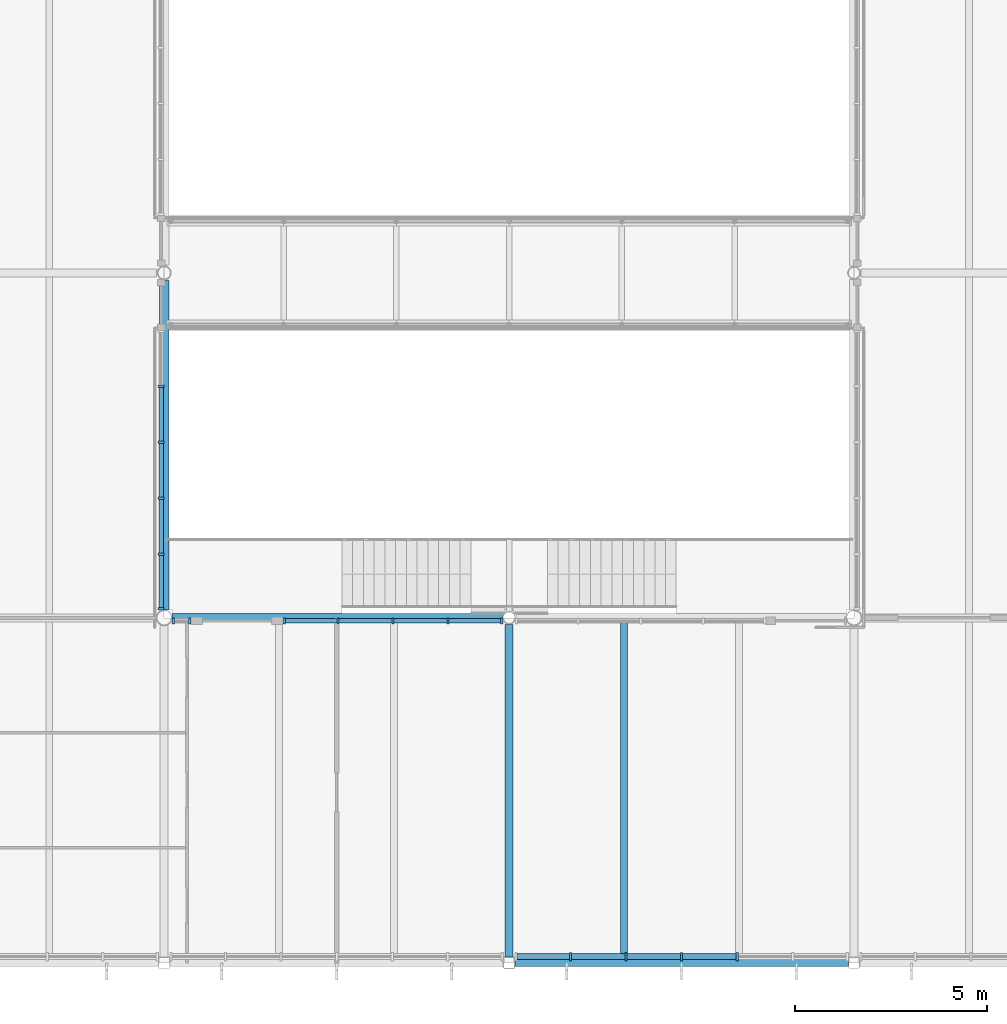
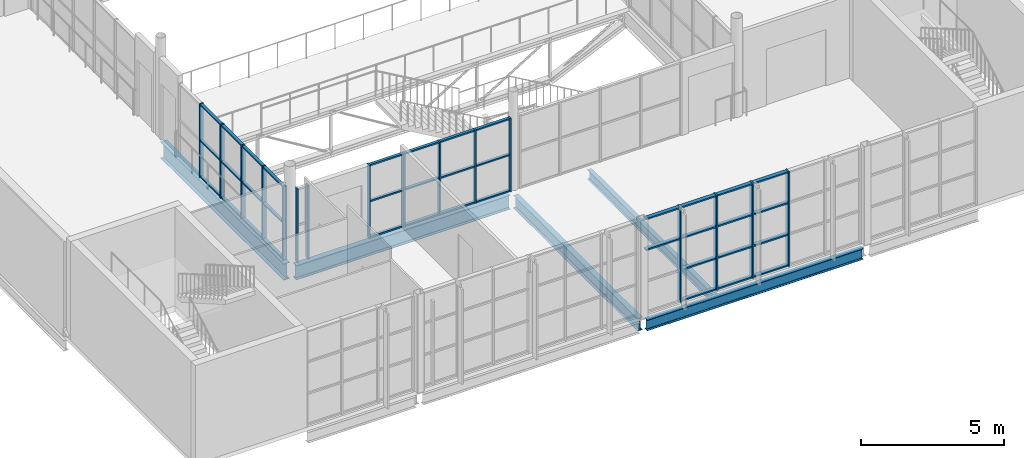
# One storey, part 18 of 61: 54 members, 5 beams, 4 elements without a shape of their own.
"""IFC4 building model written with IfcOpenShell, lengths in metres."""

from ifc_helpers import new_model, si_unit, direction, frame, origin, origin_2d, place, context, subcontext, project, spatial, rectangle, i_section, extrude, material, layer, layer_set, material_profile, profile_set, type_object, element, aggregate, save


model = new_model("IFC4")

# Units and contexts
model_context = context("Model", 3, precision=1e-05, world=origin(), true_north=direction((0.0, 1.0)))
body_context = subcontext(model_context, "Body", "Model", "MODEL_VIEW")
ifc_project = project(units=[si_unit("LENGTHUNIT", "METRE"), si_unit("AREAUNIT", "SQUARE_METRE"), si_unit("VOLUMEUNIT", "CUBIC_METRE"), si_unit("PLANEANGLEUNIT", "RADIAN"), si_unit("MASSUNIT", "GRAM", prefix="KILO")], contexts=[model_context])

# Site, building, storey
site_placement = place(None, origin())
site = spatial("IfcSite", under=ifc_project, at=site_placement, CompositionType="ELEMENT")
building_placement = place(site_placement, origin())
building = spatial("IfcBuilding", under=site, at=building_placement, Name="Halyard Row Museum", CompositionType="ELEMENT")
storey_placement = place(building_placement, frame((0.0, 0.0, 9.199951171875)))
storey = spatial("IfcBuildingStorey", under=building, at=storey_placement, Name="L02", CompositionType="ELEMENT", Elevation=9.199951171875)

# Beam
ifc_material_1 = material(Name="Steel Grade 300", Category="steel")
ifc_material_profile_1 = material_profile(ifc_material_1, i_section(OverallWidth=0.25, OverallDepth=0.699951171875, WebThickness=0.010009765625, FlangeThickness=0.02001953125, at=origin_2d()), Name="700WB130")
ifc_profile_set_1 = profile_set([ifc_material_profile_1], Name="Steel Grade 300")
beam_type_1 = type_object("IfcBeamType", Name="Bearing beam 700WB130", PredefinedType="BEAM", material=ifc_profile_set_1)
beam_1_placement = place(storey_placement, frame((81.0, 9.203125, -0.514892578125), z_axis=(0.0, 1.0, 0.0), x_axis=(-1.0, 0.0, 0.0)))
element("IfcBeam", 1, at=beam_1_placement, inside=storey, type_object=beam_type_1, Name="Beam L02-068", PredefinedType="BEAM", context=body_context, shape_type="SweptSolid", body=[
    extrude(i_section(OverallWidth=0.25, OverallDepth=0.699951171875, WebThickness=0.010009765625, FlangeThickness=0.02001953125, at=origin_2d()), origin(), (0.0, 0.0, 1.0), 8.59375),
])

# Curtain wall, members
ifc_material_2 = material(Name="Double glazed unit, low-emissivity", Category="glass")
ifc_layer_1 = layer(ifc_material_2, 0.219970703125)
ifc_layer_set_1 = layer_set([ifc_layer_1], Name="Double glazed unit, low-emissivity")
curtain_wall_type_1 = type_object("IfcCurtainWallType", Name="Curtain wall unitised 220 deep", PredefinedType="NOTDEFINED", material=ifc_layer_set_1)
curtain_wall_1_placement = place(storey_placement, origin())
curtain_wall_1 = element("IfcCurtainWall", 2, at=curtain_wall_1_placement, inside=storey, type_object=curtain_wall_type_1, Name="Curtain wall CW039", PredefinedType="NOTDEFINED")
ifc_material_3 = material(Name="Powder-coated aluminium section", Category="aluminium")
ifc_material_profile_2 = material_profile(ifc_material_3, rectangle(XDim=0.219970703125, YDim=0.06005859375, at=origin_2d()), Name="220x60 mullion")
ifc_profile_set_2 = profile_set([ifc_material_profile_2], Name="Powder-coated aluminium section")
member_type_1 = type_object("IfcMemberType", Name="Curtain wall mullion CM3 60 x 220", PredefinedType="MULLION", material=ifc_profile_set_2)
member_1_placement = place(storey_placement, frame((91.60009765625, 0.159912109375, 0.0), z_axis=(0.0, 0.0, 1.0), x_axis=(0.0, 1.0, 0.0)))
member_1 = element("IfcMember", 3, at=member_1_placement, type_object=member_type_1, Name="CW039 mullion 2", PredefinedType="MULLION", context=body_context, shape_type="SweptSolid", body=[
    extrude(rectangle(XDim=0.219970703125, YDim=0.06005859375, at=origin_2d()), origin(), (0.0, 0.0, 1.0), 4.03515625),
])
member_2_placement = place(storey_placement, frame((93.050048828125, 0.159912109375, 0.0), z_axis=(0.0, 0.0, 1.0), x_axis=(0.0, 1.0, 0.0)))
member_2 = element("IfcMember", 4, at=member_2_placement, type_object=member_type_1, Name="CW039 mullion 3", PredefinedType="MULLION", context=body_context, shape_type="SweptSolid", body=[
    extrude(rectangle(XDim=0.219970703125, YDim=0.06005859375, at=origin_2d()), origin(), (0.0, 0.0, 1.0), 4.03515625),
])
member_3_placement = place(storey_placement, frame((94.5, 0.159912109375, 0.0), z_axis=(0.0, 0.0, 1.0), x_axis=(0.0, 1.0, 0.0)))
member_3 = element("IfcMember", 5, at=member_3_placement, type_object=member_type_1, Name="CW039 mullion 4", PredefinedType="MULLION", context=body_context, shape_type="SweptSolid", body=[
    extrude(rectangle(XDim=0.219970703125, YDim=0.06005859375, at=origin_2d()), origin(), (0.0, 0.0, 1.0), 4.03515625),
])
member_4_placement = place(storey_placement, frame((95.949951171875, 0.159912109375, 0.0), z_axis=(0.0, 0.0, 1.0), x_axis=(0.0, 1.0, 0.0)))
member_4 = element("IfcMember", 6, at=member_4_placement, type_object=member_type_1, Name="CW039 mullion 5", PredefinedType="MULLION", context=body_context, shape_type="SweptSolid", body=[
    extrude(rectangle(XDim=0.219970703125, YDim=0.06005859375, at=origin_2d()), origin(), (0.0, 0.0, 1.0), 4.03515625),
])

ifc_material_4 = material(Name="Fire-resisting laminated glazing", Category="glass")
ifc_layer_2 = layer(ifc_material_4, 0.159912109375)
ifc_layer_set_2 = layer_set([ifc_layer_2], Name="Fire-resisting laminated glazing")
curtain_wall_type_2 = type_object("IfcCurtainWallType", Name="Curtain wall atrium screen 160 deep", PredefinedType="NOTDEFINED", material=ifc_layer_set_2)
curtain_wall_2_placement = place(storey_placement, origin())
curtain_wall_2 = element("IfcCurtainWall", 7, at=curtain_wall_2_placement, inside=storey, type_object=curtain_wall_type_2, Name="Curtain wall CW084", PredefinedType="NOTDEFINED")
ifc_material_5 = material(Name="Powder-coated aluminium section", Category="aluminium")
ifc_material_profile_3 = material_profile(ifc_material_5, rectangle(XDim=0.159912109375, YDim=0.06005859375, at=origin_2d()), Name="160x60 mullion")
ifc_profile_set_3 = profile_set([ifc_material_profile_3], Name="Powder-coated aluminium section")
member_type_2 = type_object("IfcMemberType", Name="Curtain wall mullion CM5 60 x 160", PredefinedType="MULLION", material=ifc_profile_set_3)
member_5_placement = place(storey_placement, frame((81.233154296875, 8.919921875, 0.0), z_axis=(0.0, 0.0, 1.0), x_axis=(0.0, 1.0, 0.0)))
member_5 = element("IfcMember", 8, at=member_5_placement, type_object=member_type_2, Name="CW084 mullion 1", PredefinedType="MULLION", context=body_context, shape_type="SweptSolid", body=[
    extrude(rectangle(XDim=0.159912109375, YDim=0.06005859375, at=origin_2d()), origin(), (0.0, 0.0, 1.0), 3.12451171875),
])
member_6_placement = place(storey_placement, frame((81.669921875, 8.919921875, 0.0), z_axis=(0.0, 0.0, 1.0), x_axis=(0.0, 1.0, 0.0)))
member_6 = element("IfcMember", 9, at=member_6_placement, type_object=member_type_2, Name="CW084 mullion 2", PredefinedType="MULLION", context=body_context, shape_type="SweptSolid", body=[
    extrude(rectangle(XDim=0.159912109375, YDim=0.06005859375, at=origin_2d()), origin(), (0.0, 0.0, 1.0), 3.12451171875),
])
aggregate(curtain_wall_2, [member_5, member_6])

curtain_wall_3_placement = place(storey_placement, origin())
curtain_wall_3 = element("IfcCurtainWall", 10, at=curtain_wall_3_placement, inside=storey, type_object=curtain_wall_type_2, Name="Curtain wall CW085", PredefinedType="NOTDEFINED")
member_7_placement = place(storey_placement, frame((84.1298828125, 8.919921875, 0.0), z_axis=(0.0, 0.0, 1.0), x_axis=(0.0, 1.0, 0.0)))
member_7 = element("IfcMember", 11, at=member_7_placement, type_object=member_type_2, Name="CW085 mullion 1", PredefinedType="MULLION", context=body_context, shape_type="SweptSolid", body=[
    extrude(rectangle(XDim=0.159912109375, YDim=0.06005859375, at=origin_2d()), origin(), (0.0, 0.0, 1.0), 3.12451171875),
])
member_8_placement = place(storey_placement, frame((85.534423828125, 8.919921875, 0.0), z_axis=(0.0, 0.0, 1.0), x_axis=(0.0, 1.0, 0.0)))
member_8 = element("IfcMember", 12, at=member_8_placement, type_object=member_type_2, Name="CW085 mullion 2", PredefinedType="MULLION", context=body_context, shape_type="SweptSolid", body=[
    extrude(rectangle(XDim=0.159912109375, YDim=0.06005859375, at=origin_2d()), origin(), (0.0, 0.0, 1.0), 3.12451171875),
])
member_9_placement = place(storey_placement, frame((86.968994140625, 8.919921875, 0.0), z_axis=(0.0, 0.0, 1.0), x_axis=(0.0, 1.0, 0.0)))
member_9 = element("IfcMember", 13, at=member_9_placement, type_object=member_type_2, Name="CW085 mullion 3", PredefinedType="MULLION", context=body_context, shape_type="SweptSolid", body=[
    extrude(rectangle(XDim=0.159912109375, YDim=0.06005859375, at=origin_2d()), origin(), (0.0, 0.0, 1.0), 3.12451171875),
])
member_10_placement = place(storey_placement, frame((88.403564453125, 8.919921875, 0.0), z_axis=(0.0, 0.0, 1.0), x_axis=(0.0, 1.0, 0.0)))
member_10 = element("IfcMember", 14, at=member_10_placement, type_object=member_type_2, Name="CW085 mullion 4", PredefinedType="MULLION", context=body_context, shape_type="SweptSolid", body=[
    extrude(rectangle(XDim=0.159912109375, YDim=0.06005859375, at=origin_2d()), origin(), (0.0, 0.0, 1.0), 3.12451171875),
])
member_11_placement = place(storey_placement, frame((89.80810546875, 8.919921875, 0.0), z_axis=(0.0, 0.0, 1.0), x_axis=(0.0, 1.0, 0.0)))
member_11 = element("IfcMember", 15, at=member_11_placement, type_object=member_type_2, Name="CW085 mullion 5", PredefinedType="MULLION", context=body_context, shape_type="SweptSolid", body=[
    extrude(rectangle(XDim=0.159912109375, YDim=0.06005859375, at=origin_2d()), origin(), (0.0, 0.0, 1.0), 3.12451171875),
])

curtain_wall_4_placement = place(storey_placement, origin())
curtain_wall_4 = element("IfcCurtainWall", 16, at=curtain_wall_4_placement, inside=storey, type_object=curtain_wall_type_2, Name="Curtain wall CW092", PredefinedType="NOTDEFINED")
member_12_placement = place(storey_placement, frame((80.919921875, 15.04052734375, 0.0), z_axis=(0.0, 0.0, 1.0), x_axis=(1.0, 0.0, 0.0)))
member_12 = element("IfcMember", 17, at=member_12_placement, type_object=member_type_2, Name="CW092 mullion 2", PredefinedType="MULLION", context=body_context, shape_type="SweptSolid", body=[
    extrude(rectangle(XDim=0.159912109375, YDim=0.06005859375, at=origin_2d()), origin(), (0.0, 0.0, 1.0), 3.12451171875),
])
member_13_placement = place(storey_placement, frame((80.919921875, 13.581298828125, 0.0), z_axis=(0.0, 0.0, 1.0), x_axis=(1.0, 0.0, 0.0)))
member_13 = element("IfcMember", 18, at=member_13_placement, type_object=member_type_2, Name="CW092 mullion 3", PredefinedType="MULLION", context=body_context, shape_type="SweptSolid", body=[
    extrude(rectangle(XDim=0.159912109375, YDim=0.06005859375, at=origin_2d()), origin(), (0.0, 0.0, 1.0), 3.12451171875),
])
member_14_placement = place(storey_placement, frame((80.919921875, 12.121826171875, 0.0), z_axis=(0.0, 0.0, 1.0), x_axis=(1.0, 0.0, 0.0)))
member_14 = element("IfcMember", 19, at=member_14_placement, type_object=member_type_2, Name="CW092 mullion 4", PredefinedType="MULLION", context=body_context, shape_type="SweptSolid", body=[
    extrude(rectangle(XDim=0.159912109375, YDim=0.06005859375, at=origin_2d()), origin(), (0.0, 0.0, 1.0), 3.12451171875),
])
member_15_placement = place(storey_placement, frame((80.919921875, 10.66259765625, 0.0), z_axis=(0.0, 0.0, 1.0), x_axis=(1.0, 0.0, 0.0)))
member_15 = element("IfcMember", 20, at=member_15_placement, type_object=member_type_2, Name="CW092 mullion 5", PredefinedType="MULLION", context=body_context, shape_type="SweptSolid", body=[
    extrude(rectangle(XDim=0.159912109375, YDim=0.06005859375, at=origin_2d()), origin(), (0.0, 0.0, 1.0), 3.12451171875),
])
member_16_placement = place(storey_placement, frame((80.919921875, 9.233154296875, 0.0), z_axis=(0.0, 0.0, 1.0), x_axis=(1.0, 0.0, 0.0)))
member_16 = element("IfcMember", 21, at=member_16_placement, type_object=member_type_2, Name="CW092 mullion 6", PredefinedType="MULLION", context=body_context, shape_type="SweptSolid", body=[
    extrude(rectangle(XDim=0.159912109375, YDim=0.06005859375, at=origin_2d()), origin(), (0.0, 0.0, 1.0), 3.12451171875),
])

# Member
ifc_material_6 = material(Name="Powder-coated aluminium section", Category="aluminium")
ifc_material_profile_4 = material_profile(ifc_material_6, rectangle(XDim=0.159912109375, YDim=0.06005859375, at=origin_2d()), Name="160x60 transom")
ifc_profile_set_4 = profile_set([ifc_material_profile_4], Name="Powder-coated aluminium section")
member_type_3 = type_object("IfcMemberType", Name="Curtain wall transom CT3 60 x 160", PredefinedType="USERDEFINED", material=ifc_profile_set_4)
member_17_placement = place(storey_placement, frame((90.2099609375, 0.159912109375, 2.68994140625), z_axis=(1.0, 0.0, 0.0), x_axis=(0.0, 1.0, 0.0)))
member_17 = element("IfcMember", 22, at=member_17_placement, type_object=member_type_3, Name="CW039 transom 1.3", ObjectType="TRANSOM", PredefinedType="USERDEFINED", context=body_context, shape_type="SweptSolid", body=[
    extrude(rectangle(XDim=0.159912109375, YDim=0.06005859375, at=origin_2d()), origin(), (0.0, 0.0, 1.0), 1.360107421875),
])

member_18_placement = place(storey_placement, frame((90.2099609375, 0.159912109375, 4.005126953125), z_axis=(1.0, 0.0, 0.0), x_axis=(0.0, 1.0, 0.0)))
member_18 = element("IfcMember", 23, at=member_18_placement, type_object=member_type_3, Name="CW039 transom 1.4", ObjectType="TRANSOM", PredefinedType="USERDEFINED", context=body_context, shape_type="SweptSolid", body=[
    extrude(rectangle(XDim=0.159912109375, YDim=0.06005859375, at=origin_2d()), origin(), (0.0, 0.0, 1.0), 1.360107421875),
])

member_19_placement = place(storey_placement, frame((91.6298828125, 0.159912109375, 0.030029296875), z_axis=(1.0, 0.0, 0.0), x_axis=(0.0, 1.0, 0.0)))
member_19 = element("IfcMember", 24, at=member_19_placement, type_object=member_type_3, Name="CW039 transom 2.1", ObjectType="TRANSOM", PredefinedType="USERDEFINED", context=body_context, shape_type="SweptSolid", body=[
    extrude(rectangle(XDim=0.159912109375, YDim=0.06005859375, at=origin_2d()), origin(), (0.0, 0.0, 1.0), 1.39013671875),
])

member_20_placement = place(storey_placement, frame((91.6298828125, 0.159912109375, 1.344970703125), z_axis=(1.0, 0.0, 0.0), x_axis=(0.0, 1.0, 0.0)))
member_20 = element("IfcMember", 25, at=member_20_placement, type_object=member_type_3, Name="CW039 transom 2.2", ObjectType="TRANSOM", PredefinedType="USERDEFINED", context=body_context, shape_type="SweptSolid", body=[
    extrude(rectangle(XDim=0.159912109375, YDim=0.06005859375, at=origin_2d()), origin(), (0.0, 0.0, 1.0), 1.39013671875),
])

member_21_placement = place(storey_placement, frame((91.6298828125, 0.159912109375, 2.68994140625), z_axis=(1.0, 0.0, 0.0), x_axis=(0.0, 1.0, 0.0)))
member_21 = element("IfcMember", 26, at=member_21_placement, type_object=member_type_3, Name="CW039 transom 2.3", ObjectType="TRANSOM", PredefinedType="USERDEFINED", context=body_context, shape_type="SweptSolid", body=[
    extrude(rectangle(XDim=0.159912109375, YDim=0.06005859375, at=origin_2d()), origin(), (0.0, 0.0, 1.0), 1.39013671875),
])

member_22_placement = place(storey_placement, frame((91.6298828125, 0.159912109375, 4.005126953125), z_axis=(1.0, 0.0, 0.0), x_axis=(0.0, 1.0, 0.0)))
member_22 = element("IfcMember", 27, at=member_22_placement, type_object=member_type_3, Name="CW039 transom 2.4", ObjectType="TRANSOM", PredefinedType="USERDEFINED", context=body_context, shape_type="SweptSolid", body=[
    extrude(rectangle(XDim=0.159912109375, YDim=0.06005859375, at=origin_2d()), origin(), (0.0, 0.0, 1.0), 1.39013671875),
])

member_23_placement = place(storey_placement, frame((93.080078125, 0.159912109375, 0.030029296875), z_axis=(1.0, 0.0, 0.0), x_axis=(0.0, 1.0, 0.0)))
member_23 = element("IfcMember", 28, at=member_23_placement, type_object=member_type_3, Name="CW039 transom 3.1", ObjectType="TRANSOM", PredefinedType="USERDEFINED", context=body_context, shape_type="SweptSolid", body=[
    extrude(rectangle(XDim=0.159912109375, YDim=0.06005859375, at=origin_2d()), origin(), (0.0, 0.0, 1.0), 1.389892578125),
])

member_24_placement = place(storey_placement, frame((93.080078125, 0.159912109375, 1.344970703125), z_axis=(1.0, 0.0, 0.0), x_axis=(0.0, 1.0, 0.0)))
member_24 = element("IfcMember", 29, at=member_24_placement, type_object=member_type_3, Name="CW039 transom 3.2", ObjectType="TRANSOM", PredefinedType="USERDEFINED", context=body_context, shape_type="SweptSolid", body=[
    extrude(rectangle(XDim=0.159912109375, YDim=0.06005859375, at=origin_2d()), origin(), (0.0, 0.0, 1.0), 1.389892578125),
])

member_25_placement = place(storey_placement, frame((93.080078125, 0.159912109375, 2.68994140625), z_axis=(1.0, 0.0, 0.0), x_axis=(0.0, 1.0, 0.0)))
member_25 = element("IfcMember", 30, at=member_25_placement, type_object=member_type_3, Name="CW039 transom 3.3", ObjectType="TRANSOM", PredefinedType="USERDEFINED", context=body_context, shape_type="SweptSolid", body=[
    extrude(rectangle(XDim=0.159912109375, YDim=0.06005859375, at=origin_2d()), origin(), (0.0, 0.0, 1.0), 1.389892578125),
])

member_26_placement = place(storey_placement, frame((93.080078125, 0.159912109375, 4.005126953125), z_axis=(1.0, 0.0, 0.0), x_axis=(0.0, 1.0, 0.0)))
member_26 = element("IfcMember", 31, at=member_26_placement, type_object=member_type_3, Name="CW039 transom 3.4", ObjectType="TRANSOM", PredefinedType="USERDEFINED", context=body_context, shape_type="SweptSolid", body=[
    extrude(rectangle(XDim=0.159912109375, YDim=0.06005859375, at=origin_2d()), origin(), (0.0, 0.0, 1.0), 1.389892578125),
])

member_27_placement = place(storey_placement, frame((94.530029296875, 0.159912109375, 0.030029296875), z_axis=(1.0, 0.0, 0.0), x_axis=(0.0, 1.0, 0.0)))
member_27 = element("IfcMember", 32, at=member_27_placement, type_object=member_type_3, Name="CW039 transom 4.1", ObjectType="TRANSOM", PredefinedType="USERDEFINED", context=body_context, shape_type="SweptSolid", body=[
    extrude(rectangle(XDim=0.159912109375, YDim=0.06005859375, at=origin_2d()), origin(), (0.0, 0.0, 1.0), 1.389892578125),
])

member_28_placement = place(storey_placement, frame((94.530029296875, 0.159912109375, 1.344970703125), z_axis=(1.0, 0.0, 0.0), x_axis=(0.0, 1.0, 0.0)))
member_28 = element("IfcMember", 33, at=member_28_placement, type_object=member_type_3, Name="CW039 transom 4.2", ObjectType="TRANSOM", PredefinedType="USERDEFINED", context=body_context, shape_type="SweptSolid", body=[
    extrude(rectangle(XDim=0.159912109375, YDim=0.06005859375, at=origin_2d()), origin(), (0.0, 0.0, 1.0), 1.389892578125),
])

member_29_placement = place(storey_placement, frame((94.530029296875, 0.159912109375, 2.68994140625), z_axis=(1.0, 0.0, 0.0), x_axis=(0.0, 1.0, 0.0)))
member_29 = element("IfcMember", 34, at=member_29_placement, type_object=member_type_3, Name="CW039 transom 4.3", ObjectType="TRANSOM", PredefinedType="USERDEFINED", context=body_context, shape_type="SweptSolid", body=[
    extrude(rectangle(XDim=0.159912109375, YDim=0.06005859375, at=origin_2d()), origin(), (0.0, 0.0, 1.0), 1.389892578125),
])

member_30_placement = place(storey_placement, frame((94.530029296875, 0.159912109375, 4.005126953125), z_axis=(1.0, 0.0, 0.0), x_axis=(0.0, 1.0, 0.0)))
member_30 = element("IfcMember", 35, at=member_30_placement, type_object=member_type_3, Name="CW039 transom 4.4", ObjectType="TRANSOM", PredefinedType="USERDEFINED", context=body_context, shape_type="SweptSolid", body=[
    extrude(rectangle(XDim=0.159912109375, YDim=0.06005859375, at=origin_2d()), origin(), (0.0, 0.0, 1.0), 1.389892578125),
])

aggregate(curtain_wall_1, [member_1, member_2, member_3, member_4, member_17, member_18, member_19, member_20, member_21, member_22, member_23, member_24, member_25, member_26, member_27, member_28, member_29, member_30])

ifc_material_7 = material(Name="Powder-coated aluminium section", Category="aluminium")
ifc_material_profile_5 = material_profile(ifc_material_7, rectangle(XDim=0.1201171875, YDim=0.06005859375, at=origin_2d()), Name="120x60 transom")
ifc_profile_set_5 = profile_set([ifc_material_profile_5], Name="Powder-coated aluminium section")
member_type_4 = type_object("IfcMemberType", Name="Curtain wall transom CT5 60 x 120", PredefinedType="USERDEFINED", material=ifc_profile_set_5)
member_31_placement = place(storey_placement, frame((84.159912109375, 8.919921875, 0.030029296875), z_axis=(1.0, 0.0, 0.0), x_axis=(0.0, 1.0, 0.0)))
member_31 = element("IfcMember", 36, at=member_31_placement, type_object=member_type_4, Name="CW085 transom 1.1", ObjectType="TRANSOM", PredefinedType="USERDEFINED", context=body_context, shape_type="SweptSolid", body=[
    extrude(rectangle(XDim=0.1201171875, YDim=0.06005859375, at=origin_2d()), origin(), (0.0, 0.0, 1.0), 1.344482421875),
])

member_32_placement = place(storey_placement, frame((84.159912109375, 8.919921875, 1.562255859375), z_axis=(1.0, 0.0, 0.0), x_axis=(0.0, 1.0, 0.0)))
member_32 = element("IfcMember", 37, at=member_32_placement, type_object=member_type_4, Name="CW085 transom 1.2", ObjectType="TRANSOM", PredefinedType="USERDEFINED", context=body_context, shape_type="SweptSolid", body=[
    extrude(rectangle(XDim=0.1201171875, YDim=0.06005859375, at=origin_2d()), origin(), (0.0, 0.0, 1.0), 1.344482421875),
])

member_33_placement = place(storey_placement, frame((84.159912109375, 8.919921875, 3.094482421875), z_axis=(1.0, 0.0, 0.0), x_axis=(0.0, 1.0, 0.0)))
member_33 = element("IfcMember", 38, at=member_33_placement, type_object=member_type_4, Name="CW085 transom 1.3", ObjectType="TRANSOM", PredefinedType="USERDEFINED", context=body_context, shape_type="SweptSolid", body=[
    extrude(rectangle(XDim=0.1201171875, YDim=0.06005859375, at=origin_2d()), origin(), (0.0, 0.0, 1.0), 1.344482421875),
])

member_34_placement = place(storey_placement, frame((85.564453125, 8.919921875, 0.030029296875), z_axis=(1.0, 0.0, 0.0), x_axis=(0.0, 1.0, 0.0)))
member_34 = element("IfcMember", 39, at=member_34_placement, type_object=member_type_4, Name="CW085 transom 2.1", ObjectType="TRANSOM", PredefinedType="USERDEFINED", context=body_context, shape_type="SweptSolid", body=[
    extrude(rectangle(XDim=0.1201171875, YDim=0.06005859375, at=origin_2d()), origin(), (0.0, 0.0, 1.0), 1.37451171875),
])

member_35_placement = place(storey_placement, frame((85.564453125, 8.919921875, 1.562255859375), z_axis=(1.0, 0.0, 0.0), x_axis=(0.0, 1.0, 0.0)))
member_35 = element("IfcMember", 40, at=member_35_placement, type_object=member_type_4, Name="CW085 transom 2.2", ObjectType="TRANSOM", PredefinedType="USERDEFINED", context=body_context, shape_type="SweptSolid", body=[
    extrude(rectangle(XDim=0.1201171875, YDim=0.06005859375, at=origin_2d()), origin(), (0.0, 0.0, 1.0), 1.37451171875),
])

member_36_placement = place(storey_placement, frame((85.564453125, 8.919921875, 3.094482421875), z_axis=(1.0, 0.0, 0.0), x_axis=(0.0, 1.0, 0.0)))
member_36 = element("IfcMember", 41, at=member_36_placement, type_object=member_type_4, Name="CW085 transom 2.3", ObjectType="TRANSOM", PredefinedType="USERDEFINED", context=body_context, shape_type="SweptSolid", body=[
    extrude(rectangle(XDim=0.1201171875, YDim=0.06005859375, at=origin_2d()), origin(), (0.0, 0.0, 1.0), 1.37451171875),
])

member_37_placement = place(storey_placement, frame((86.9990234375, 8.919921875, 0.030029296875), z_axis=(1.0, 0.0, 0.0), x_axis=(0.0, 1.0, 0.0)))
member_37 = element("IfcMember", 42, at=member_37_placement, type_object=member_type_4, Name="CW085 transom 3.1", ObjectType="TRANSOM", PredefinedType="USERDEFINED", context=body_context, shape_type="SweptSolid", body=[
    extrude(rectangle(XDim=0.1201171875, YDim=0.06005859375, at=origin_2d()), origin(), (0.0, 0.0, 1.0), 1.37451171875),
])

member_38_placement = place(storey_placement, frame((86.9990234375, 8.919921875, 1.562255859375), z_axis=(1.0, 0.0, 0.0), x_axis=(0.0, 1.0, 0.0)))
member_38 = element("IfcMember", 43, at=member_38_placement, type_object=member_type_4, Name="CW085 transom 3.2", ObjectType="TRANSOM", PredefinedType="USERDEFINED", context=body_context, shape_type="SweptSolid", body=[
    extrude(rectangle(XDim=0.1201171875, YDim=0.06005859375, at=origin_2d()), origin(), (0.0, 0.0, 1.0), 1.37451171875),
])

member_39_placement = place(storey_placement, frame((86.9990234375, 8.919921875, 3.094482421875), z_axis=(1.0, 0.0, 0.0), x_axis=(0.0, 1.0, 0.0)))
member_39 = element("IfcMember", 44, at=member_39_placement, type_object=member_type_4, Name="CW085 transom 3.3", ObjectType="TRANSOM", PredefinedType="USERDEFINED", context=body_context, shape_type="SweptSolid", body=[
    extrude(rectangle(XDim=0.1201171875, YDim=0.06005859375, at=origin_2d()), origin(), (0.0, 0.0, 1.0), 1.37451171875),
])

member_40_placement = place(storey_placement, frame((88.43359375, 8.919921875, 0.030029296875), z_axis=(1.0, 0.0, 0.0), x_axis=(0.0, 1.0, 0.0)))
member_40 = element("IfcMember", 45, at=member_40_placement, type_object=member_type_4, Name="CW085 transom 4.1", ObjectType="TRANSOM", PredefinedType="USERDEFINED", context=body_context, shape_type="SweptSolid", body=[
    extrude(rectangle(XDim=0.1201171875, YDim=0.06005859375, at=origin_2d()), origin(), (0.0, 0.0, 1.0), 1.344482421875),
])

member_41_placement = place(storey_placement, frame((88.43359375, 8.919921875, 1.562255859375), z_axis=(1.0, 0.0, 0.0), x_axis=(0.0, 1.0, 0.0)))
member_41 = element("IfcMember", 46, at=member_41_placement, type_object=member_type_4, Name="CW085 transom 4.2", ObjectType="TRANSOM", PredefinedType="USERDEFINED", context=body_context, shape_type="SweptSolid", body=[
    extrude(rectangle(XDim=0.1201171875, YDim=0.06005859375, at=origin_2d()), origin(), (0.0, 0.0, 1.0), 1.344482421875),
])

member_42_placement = place(storey_placement, frame((88.43359375, 8.919921875, 3.094482421875), z_axis=(1.0, 0.0, 0.0), x_axis=(0.0, 1.0, 0.0)))
member_42 = element("IfcMember", 47, at=member_42_placement, type_object=member_type_4, Name="CW085 transom 4.3", ObjectType="TRANSOM", PredefinedType="USERDEFINED", context=body_context, shape_type="SweptSolid", body=[
    extrude(rectangle(XDim=0.1201171875, YDim=0.06005859375, at=origin_2d()), origin(), (0.0, 0.0, 1.0), 1.344482421875),
])

aggregate(curtain_wall_3, [member_7, member_8, member_9, member_10, member_11, member_31, member_32, member_33, member_34, member_35, member_36, member_37, member_38, member_39, member_40, member_41, member_42])

member_43_placement = place(storey_placement, frame((80.919921875, 15.0107421875, 0.030029296875), z_axis=(0.0, -1.0, 0.0), x_axis=(1.0, 0.0, 0.0)))
member_43 = element("IfcMember", 48, at=member_43_placement, type_object=member_type_4, Name="CW092 transom 2.1", ObjectType="TRANSOM", PredefinedType="USERDEFINED", context=body_context, shape_type="SweptSolid", body=[
    extrude(rectangle(XDim=0.1201171875, YDim=0.06005859375, at=origin_2d()), origin(), (0.0, 0.0, 1.0), 1.3994140625),
])

member_44_placement = place(storey_placement, frame((80.919921875, 15.0107421875, 1.562255859375), z_axis=(0.0, -1.0, 0.0), x_axis=(1.0, 0.0, 0.0)))
member_44 = element("IfcMember", 49, at=member_44_placement, type_object=member_type_4, Name="CW092 transom 2.2", ObjectType="TRANSOM", PredefinedType="USERDEFINED", context=body_context, shape_type="SweptSolid", body=[
    extrude(rectangle(XDim=0.1201171875, YDim=0.06005859375, at=origin_2d()), origin(), (0.0, 0.0, 1.0), 1.3994140625),
])

member_45_placement = place(storey_placement, frame((80.919921875, 15.0107421875, 3.094482421875), z_axis=(0.0, -1.0, 0.0), x_axis=(1.0, 0.0, 0.0)))
member_45 = element("IfcMember", 50, at=member_45_placement, type_object=member_type_4, Name="CW092 transom 2.3", ObjectType="TRANSOM", PredefinedType="USERDEFINED", context=body_context, shape_type="SweptSolid", body=[
    extrude(rectangle(XDim=0.1201171875, YDim=0.06005859375, at=origin_2d()), origin(), (0.0, 0.0, 1.0), 1.3994140625),
])

member_46_placement = place(storey_placement, frame((80.919921875, 13.55126953125, 0.030029296875), z_axis=(0.0, -1.0, 0.0), x_axis=(1.0, 0.0, 0.0)))
member_46 = element("IfcMember", 51, at=member_46_placement, type_object=member_type_4, Name="CW092 transom 3.1", ObjectType="TRANSOM", PredefinedType="USERDEFINED", context=body_context, shape_type="SweptSolid", body=[
    extrude(rectangle(XDim=0.1201171875, YDim=0.06005859375, at=origin_2d()), origin(), (0.0, 0.0, 1.0), 1.3994140625),
])

member_47_placement = place(storey_placement, frame((80.919921875, 13.55126953125, 1.562255859375), z_axis=(0.0, -1.0, 0.0), x_axis=(1.0, 0.0, 0.0)))
member_47 = element("IfcMember", 52, at=member_47_placement, type_object=member_type_4, Name="CW092 transom 3.2", ObjectType="TRANSOM", PredefinedType="USERDEFINED", context=body_context, shape_type="SweptSolid", body=[
    extrude(rectangle(XDim=0.1201171875, YDim=0.06005859375, at=origin_2d()), origin(), (0.0, 0.0, 1.0), 1.3994140625),
])

member_48_placement = place(storey_placement, frame((80.919921875, 13.55126953125, 3.094482421875), z_axis=(0.0, -1.0, 0.0), x_axis=(1.0, 0.0, 0.0)))
member_48 = element("IfcMember", 53, at=member_48_placement, type_object=member_type_4, Name="CW092 transom 3.3", ObjectType="TRANSOM", PredefinedType="USERDEFINED", context=body_context, shape_type="SweptSolid", body=[
    extrude(rectangle(XDim=0.1201171875, YDim=0.06005859375, at=origin_2d()), origin(), (0.0, 0.0, 1.0), 1.3994140625),
])

member_49_placement = place(storey_placement, frame((80.919921875, 12.092041015625, 0.030029296875), z_axis=(0.0, -1.0, 0.0), x_axis=(1.0, 0.0, 0.0)))
member_49 = element("IfcMember", 54, at=member_49_placement, type_object=member_type_4, Name="CW092 transom 4.1", ObjectType="TRANSOM", PredefinedType="USERDEFINED", context=body_context, shape_type="SweptSolid", body=[
    extrude(rectangle(XDim=0.1201171875, YDim=0.06005859375, at=origin_2d()), origin(), (0.0, 0.0, 1.0), 1.3994140625),
])

member_50_placement = place(storey_placement, frame((80.919921875, 12.092041015625, 1.562255859375), z_axis=(0.0, -1.0, 0.0), x_axis=(1.0, 0.0, 0.0)))
member_50 = element("IfcMember", 55, at=member_50_placement, type_object=member_type_4, Name="CW092 transom 4.2", ObjectType="TRANSOM", PredefinedType="USERDEFINED", context=body_context, shape_type="SweptSolid", body=[
    extrude(rectangle(XDim=0.1201171875, YDim=0.06005859375, at=origin_2d()), origin(), (0.0, 0.0, 1.0), 1.3994140625),
])

member_51_placement = place(storey_placement, frame((80.919921875, 12.092041015625, 3.094482421875), z_axis=(0.0, -1.0, 0.0), x_axis=(1.0, 0.0, 0.0)))
member_51 = element("IfcMember", 56, at=member_51_placement, type_object=member_type_4, Name="CW092 transom 4.3", ObjectType="TRANSOM", PredefinedType="USERDEFINED", context=body_context, shape_type="SweptSolid", body=[
    extrude(rectangle(XDim=0.1201171875, YDim=0.06005859375, at=origin_2d()), origin(), (0.0, 0.0, 1.0), 1.3994140625),
])

member_52_placement = place(storey_placement, frame((80.919921875, 10.632568359375, 0.030029296875), z_axis=(0.0, -1.0, 0.0), x_axis=(1.0, 0.0, 0.0)))
member_52 = element("IfcMember", 57, at=member_52_placement, type_object=member_type_4, Name="CW092 transom 5.1", ObjectType="TRANSOM", PredefinedType="USERDEFINED", context=body_context, shape_type="SweptSolid", body=[
    extrude(rectangle(XDim=0.1201171875, YDim=0.06005859375, at=origin_2d()), origin(), (0.0, 0.0, 1.0), 1.369384765625),
])

member_53_placement = place(storey_placement, frame((80.919921875, 10.632568359375, 1.562255859375), z_axis=(0.0, -1.0, 0.0), x_axis=(1.0, 0.0, 0.0)))
member_53 = element("IfcMember", 58, at=member_53_placement, type_object=member_type_4, Name="CW092 transom 5.2", ObjectType="TRANSOM", PredefinedType="USERDEFINED", context=body_context, shape_type="SweptSolid", body=[
    extrude(rectangle(XDim=0.1201171875, YDim=0.06005859375, at=origin_2d()), origin(), (0.0, 0.0, 1.0), 1.369384765625),
])

member_54_placement = place(storey_placement, frame((80.919921875, 10.632568359375, 3.094482421875), z_axis=(0.0, -1.0, 0.0), x_axis=(1.0, 0.0, 0.0)))
member_54 = element("IfcMember", 59, at=member_54_placement, type_object=member_type_4, Name="CW092 transom 5.3", ObjectType="TRANSOM", PredefinedType="USERDEFINED", context=body_context, shape_type="SweptSolid", body=[
    extrude(rectangle(XDim=0.1201171875, YDim=0.06005859375, at=origin_2d()), origin(), (0.0, 0.0, 1.0), 1.369384765625),
])

aggregate(curtain_wall_4, [member_12, member_13, member_14, member_15, member_16, member_43, member_44, member_45, member_46, member_47, member_48, member_49, member_50, member_51, member_52, member_53, member_54])

# Beams
ifc_material_8 = material(Name="Steel Grade 300", Category="steel")
ifc_material_profile_6 = material_profile(ifc_material_8, i_section(OverallWidth=0.18994140625, OverallDepth=0.45751953125, WebThickness=0.009033203125, FlangeThickness=0.014404296875, FilletRadius=0.011474609375, at=origin_2d()), Name="460UB74.6")
ifc_profile_set_6 = profile_set([ifc_material_profile_6], Name="Steel Grade 300")
beam_type_2 = type_object("IfcBeamType", Name="Edge beam 460UB74.6", PredefinedType="BEAM", material=ifc_profile_set_6)
beam_2_placement = place(storey_placement, frame((90.14990234375, 0.0, -0.3935546875), z_axis=(1.0, 0.0, 0.0), x_axis=(0.0, 1.0, 0.0)))
element("IfcBeam", 60, at=beam_2_placement, inside=storey, type_object=beam_type_2, Name="Beam L02-004", PredefinedType="BEAM", context=body_context, shape_type="SweptSolid", body=[
    extrude(i_section(OverallWidth=0.18994140625, OverallDepth=0.45751953125, WebThickness=0.009033203125, FlangeThickness=0.014404296875, FilletRadius=0.011474609375, at=origin_2d()), origin(), (0.0, 0.0, 1.0), 8.7001953125),
])
ifc_material_9 = material(Name="Steel Grade 300", Category="steel")
ifc_material_profile_7 = material_profile(ifc_material_9, i_section(OverallWidth=0.208984375, OverallDepth=0.532958984375, WebThickness=0.01025390625, FlangeThickness=0.015625, FilletRadius=0.013916015625, at=origin_2d()), Name="530UB92.4")
ifc_profile_set_7 = profile_set([ifc_material_profile_7], Name="Steel Grade 300")
beam_type_3 = type_object("IfcBeamType", Name="Girder beam 530UB92.4", PredefinedType="BEAM", material=ifc_profile_set_7)
beam_3_placement = place(storey_placement, frame((90.0, 0.14990234375, -0.431396484375), z_axis=(0.0, 1.0, 0.0), x_axis=(-1.0, 0.0, 0.0)))
element("IfcBeam", 61, at=beam_3_placement, inside=storey, type_object=beam_type_3, Name="Beam L02-072", PredefinedType="BEAM", context=body_context, shape_type="SweptSolid", body=[
    extrude(i_section(OverallWidth=0.208984375, OverallDepth=0.532958984375, WebThickness=0.01025390625, FlangeThickness=0.015625, FilletRadius=0.013916015625, at=origin_2d()), origin(), (0.0, 0.0, 1.0), 8.67236328125),
])
ifc_material_10 = material(Name="Steel Grade 300", Category="steel")
ifc_material_profile_8 = material_profile(ifc_material_10, i_section(OverallWidth=0.177978515625, OverallDepth=0.406494140625, WebThickness=0.0078125, FlangeThickness=0.0126953125, FilletRadius=0.011474609375, at=origin_2d()), Name="410UB59.7")
ifc_profile_set_8 = profile_set([ifc_material_profile_8], Name="Steel Grade 300")
beam_type_4 = type_object("IfcBeamType", Name="Secondary beam 410UB59.7", PredefinedType="BEAM", material=ifc_profile_set_8)
beam_4_placement = place(storey_placement, frame((93.0, 0.094970703125, -0.3681640625), z_axis=(0.0, 1.0, 0.0), x_axis=(-1.0, 0.0, 0.0)))
element("IfcBeam", 62, at=beam_4_placement, inside=storey, type_object=beam_type_4, Name="Beam L02-090", PredefinedType="BEAM", context=body_context, shape_type="SweptSolid", body=[
    extrude(i_section(OverallWidth=0.177978515625, OverallDepth=0.406494140625, WebThickness=0.0078125, FlangeThickness=0.0126953125, FilletRadius=0.011474609375, at=origin_2d()), origin(), (0.0, 0.0, 1.0), 8.791015625),
])
ifc_material_11 = material(Name="Steel Grade 300", Category="steel")
ifc_material_profile_9 = material_profile(ifc_material_11, i_section(OverallWidth=0.22802734375, OverallDepth=0.60693359375, WebThickness=0.01123046875, FlangeThickness=0.017333984375, FilletRadius=0.013916015625, at=origin_2d()), Name="610UB113")
ifc_profile_set_9 = profile_set([ifc_material_profile_9], Name="Steel Grade 300")
beam_type_5 = type_object("IfcBeamType", Name="Void edge beam 610UB113", PredefinedType="BEAM", material=ifc_profile_set_9)
beam_5_placement = place(storey_placement, frame((81.203125, 9.0, -0.468505859375), z_axis=(1.0, 0.0, 0.0), x_axis=(0.0, 1.0, 0.0)))
element("IfcBeam", 63, at=beam_5_placement, inside=storey, type_object=beam_type_5, Name="Beam L02-008", PredefinedType="BEAM", context=body_context, shape_type="SweptSolid", body=[
    extrude(i_section(OverallWidth=0.22802734375, OverallDepth=0.60693359375, WebThickness=0.01123046875, FlangeThickness=0.017333984375, FilletRadius=0.013916015625, at=origin_2d()), origin(), (0.0, 0.0, 1.0), 8.619140625),
])

save(model, "model.ifc")
